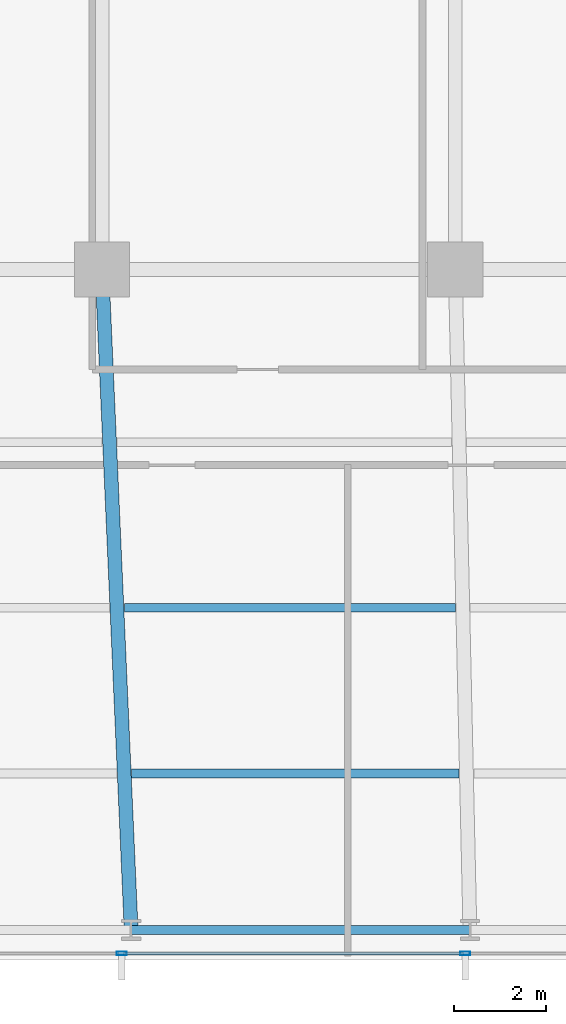
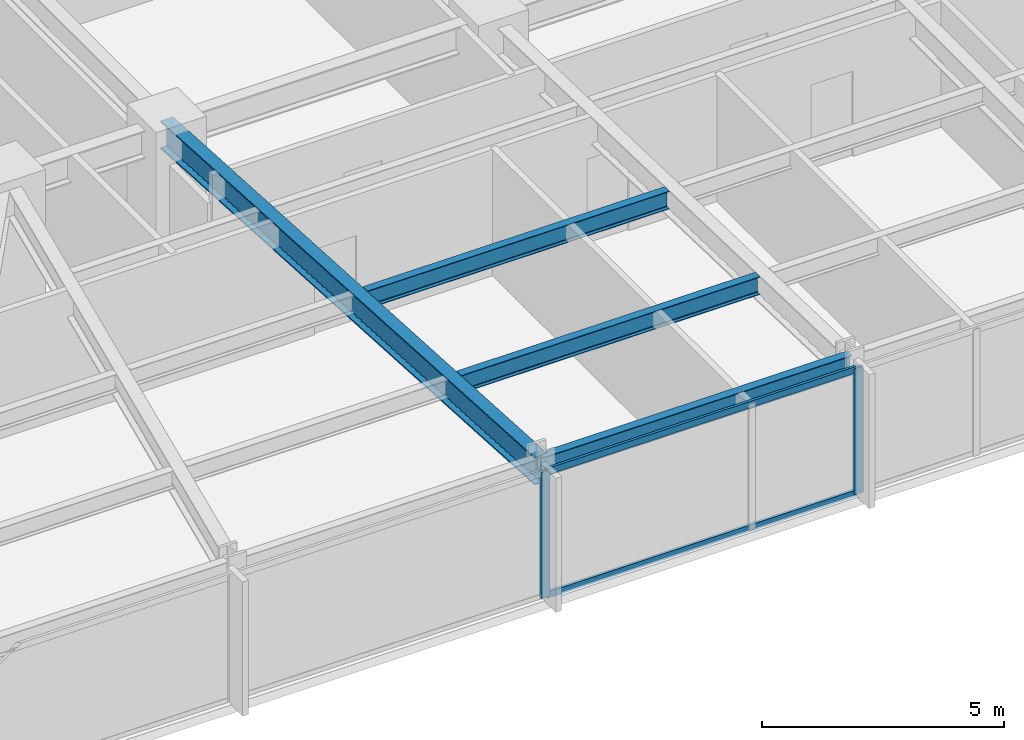
# One storey, part 5 of 33: 4 beams, 4 members, 1 element without a shape of its own.
"""IFC4 building model written with IfcOpenShell, lengths in metres."""

from ifc_helpers import new_model, si_unit, direction, frame, origin, origin_2d, place, context, subcontext, project, spatial, hollow_rectangle, i_section, extrude, material, material_profile, profile_set, type_object, element, aggregate, save


model = new_model("IFC4")

# Units and contexts
model_context = context("Model", 3, precision=1e-05, world=origin(), true_north=direction((0.0, 1.0)))
body_context = subcontext(model_context, "Body", "Model", "MODEL_VIEW")
ifc_project = project(units=[si_unit("LENGTHUNIT", "METRE"), si_unit("AREAUNIT", "SQUARE_METRE"), si_unit("VOLUMEUNIT", "CUBIC_METRE"), si_unit("PLANEANGLEUNIT", "RADIAN"), si_unit("MASSUNIT", "GRAM", prefix="KILO")], contexts=[model_context])

# Site, building, storey
site_placement = place(None, origin())
site = spatial("IfcSite", under=ifc_project, at=site_placement, CompositionType="ELEMENT")
building_placement = place(site_placement, origin())
building = spatial("IfcBuilding", under=site, at=building_placement, Name="Yelkora Congress Tower", CompositionType="ELEMENT")
storey_placement = place(building_placement, frame((0.0, 0.0, 37.199951171875)))
storey = spatial("IfcBuildingStorey", under=building, at=storey_placement, Name="L08", CompositionType="ELEMENT", Elevation=37.199951171875)

# Beams
ifc_material_1 = material(Name="Steel S355J2", Category="steel")
ifc_material_profile_1 = material_profile(ifc_material_1, i_section(OverallWidth=0.300048828125, OverallDepth=0.699951171875, WebThickness=0.01708984375, FlangeThickness=0.031982421875, FilletRadius=0.027099609375, at=origin_2d()), Name="HEB 700")
ifc_profile_set_1 = profile_set([ifc_material_profile_1], Name="Steel S355J2")
beam_type_1 = type_object("IfcBeamType", Name="BM-GIRD-HEB700", PredefinedType="BEAM", material=ifc_profile_set_1)
beam_1_placement = place(storey_placement, frame((23.675048828125, 10.85009765625, 2.830078125), z_axis=(-0.044208738849, 0.999022315771, 0.0), x_axis=(-0.999022315771, -0.044208738849, 0.0)))
element("IfcBeam", 1, at=beam_1_placement, inside=storey, type_object=beam_type_1, Name="L08 Primary Frame Girder S03", PredefinedType="BEAM", context=body_context, shape_type="SweptSolid", body=[
    extrude(i_section(OverallWidth=0.300048828125, OverallDepth=0.699951171875, WebThickness=0.01708984375, FlangeThickness=0.031982421875, FilletRadius=0.027099609375, at=origin_2d()), origin(), (0.0, 0.0, 1.0), 14.364013671875),
])
ifc_material_profile_2 = material_profile(ifc_material_1, i_section(OverallWidth=0.18994140625, OverallDepth=0.449951171875, WebThickness=0.009521484375, FlangeThickness=0.0146484375, FilletRadius=0.02099609375, at=origin_2d()), Name="IPE 450")
ifc_profile_set_2 = profile_set([ifc_material_profile_2], Name="Steel S355J2")
beam_type_2 = type_object("IfcBeamType", Name="BM-JOIST-IPE450", PredefinedType="JOIST", material=ifc_profile_set_2)
beam_2_placement = place(storey_placement, frame((23.6845703125, 14.25, 2.955078125), z_axis=(1.0, 0.0, 0.0), x_axis=(0.0, 1.0, 0.0)))
element("IfcBeam", 2, at=beam_2_placement, inside=storey, type_object=beam_type_2, Name="L08 Composite Floor Joist 3", PredefinedType="JOIST", context=body_context, shape_type="SweptSolid", body=[
    extrude(i_section(OverallWidth=0.18994140625, OverallDepth=0.449951171875, WebThickness=0.009521484375, FlangeThickness=0.0146484375, FilletRadius=0.02099609375, at=origin_2d()), origin(), (0.0, 0.0, 1.0), 7.11767578125),
])
beam_3_placement = place(storey_placement, frame((23.525146484375, 17.85009765625, 2.955078125), z_axis=(1.0, 0.0, 0.0), x_axis=(0.0, 1.0, 0.0)))
element("IfcBeam", 3, at=beam_3_placement, inside=storey, type_object=beam_type_2, Name="L08 Composite Floor Joist 11", PredefinedType="JOIST", context=body_context, shape_type="SweptSolid", body=[
    extrude(i_section(OverallWidth=0.18994140625, OverallDepth=0.449951171875, WebThickness=0.009521484375, FlangeThickness=0.0146484375, FilletRadius=0.02099609375, at=origin_2d()), origin(), (0.0, 0.0, 1.0), 7.197509765625),
])
ifc_material_profile_3 = material_profile(ifc_material_1, i_section(OverallWidth=0.199951171875, OverallDepth=0.5, WebThickness=0.01025390625, FlangeThickness=0.01611328125, FilletRadius=0.02099609375, at=origin_2d()), Name="IPE 500")
ifc_profile_set_3 = profile_set([ifc_material_profile_3], Name="Steel S355J2")
beam_type_3 = type_object("IfcBeamType", Name="BM-SPAN-IPE500", PredefinedType="SPANDREL", material=ifc_profile_set_3)
beam_4_placement = place(storey_placement, frame((23.675048828125, 10.85009765625, 2.929931640625), z_axis=(1.0, 0.0, 0.0), x_axis=(0.0, 1.0, 0.0)))
element("IfcBeam", 4, at=beam_4_placement, inside=storey, type_object=beam_type_3, Name="L08 Perimeter Beam 4", PredefinedType="SPANDREL", context=body_context, shape_type="SweptSolid", body=[
    extrude(i_section(OverallWidth=0.199951171875, OverallDepth=0.5, WebThickness=0.01025390625, FlangeThickness=0.01611328125, FilletRadius=0.02099609375, at=origin_2d()), origin(), (0.0, 0.0, 1.0), 7.362548828125),
])

# Curtain wall, members
ifc_material_2 = material(Name="Anodised aluminium and insulated glass", Category="aluminium")
curtain_wall_type = type_object("IfcCurtainWallType", Name="CW-SYS-B1", PredefinedType="NOTDEFINED", material=ifc_material_2)
curtain_wall_placement = place(storey_placement, origin())
curtain_wall = element("IfcCurtainWall", 5, at=curtain_wall_placement, inside=storey, type_object=curtain_wall_type, Name="L08 Unitised Curtain Wall 20", PredefinedType="NOTDEFINED")
ifc_material_3 = material(Name="Anodised aluminium 6063-T6", Category="aluminium")
ifc_material_profile_4 = material_profile(ifc_material_3, hollow_rectangle(XDim=0.074951171875, YDim=0.219970703125, WallThickness=0.0048828125, at=origin_2d()), Name="ALU 75x220x5")
ifc_profile_set_4 = profile_set([ifc_material_profile_4], Name="Anodised aluminium 6063-T6")
member_type_1 = type_object("IfcMemberType", Name="MEM-ML-B1", PredefinedType="MULLION", material=ifc_profile_set_4)
member_1_placement = place(storey_placement, frame((30.93505859375, 10.340087890625, 0.0), z_axis=(0.0, 0.0, 1.0), x_axis=(0.0, -1.0, 0.0)))
member_1 = element("IfcMember", 6, at=member_1_placement, type_object=member_type_1, Name="CW-B1 mullion 6", PredefinedType="MULLION", context=body_context, shape_type="SweptSolid", body=[
    extrude(hollow_rectangle(XDim=0.074951171875, YDim=0.219970703125, WallThickness=0.0048828125, at=origin_2d()), origin(), (0.0, 0.0, 1.0), 3.179931640625),
])
member_2_placement = place(storey_placement, frame((23.469970703125, 10.340087890625, 0.0), z_axis=(0.0, 0.0, 1.0), x_axis=(0.0, -1.0, 0.0)))
member_2 = element("IfcMember", 7, at=member_2_placement, type_object=member_type_1, Name="CW-B1 mullion 7", PredefinedType="MULLION", context=body_context, shape_type="SweptSolid", body=[
    extrude(hollow_rectangle(XDim=0.074951171875, YDim=0.219970703125, WallThickness=0.0048828125, at=origin_2d()), origin(), (0.0, 0.0, 1.0), 3.179931640625),
])
ifc_material_profile_5 = material_profile(ifc_material_3, hollow_rectangle(XDim=0.06494140625, YDim=0.159912109375, WallThickness=0.00390625, at=origin_2d()), Name="ALU 65x160x4")
ifc_profile_set_5 = profile_set([ifc_material_profile_5], Name="Anodised aluminium 6063-T6")
member_type_2 = type_object("IfcMemberType", Name="MEM-TR-B1", PredefinedType="USERDEFINED", material=ifc_profile_set_5)
member_3_placement = place(storey_placement, frame((30.8974609375, 10.340087890625, 0.032470703125), z_axis=(-1.0, 0.0, 0.0), x_axis=(0.0, -1.0, 0.0)))
member_3 = element("IfcMember", 8, at=member_3_placement, type_object=member_type_2, Name="CW-B1 transom 6.1", ObjectType="TRANSOM", PredefinedType="USERDEFINED", context=body_context, shape_type="SweptSolid", body=[
    extrude(hollow_rectangle(XDim=0.06494140625, YDim=0.159912109375, WallThickness=0.00390625, at=origin_2d()), origin(), (0.0, 0.0, 1.0), 7.389892578125),
])
member_4_placement = place(storey_placement, frame((30.8974609375, 10.340087890625, 3.1474609375), z_axis=(-1.0, 0.0, 0.0), x_axis=(0.0, -1.0, 0.0)))
member_4 = element("IfcMember", 9, at=member_4_placement, type_object=member_type_2, Name="CW-B1 transom 6.2", ObjectType="TRANSOM", PredefinedType="USERDEFINED", context=body_context, shape_type="SweptSolid", body=[
    extrude(hollow_rectangle(XDim=0.06494140625, YDim=0.159912109375, WallThickness=0.00390625, at=origin_2d()), origin(), (0.0, 0.0, 1.0), 7.389892578125),
])
aggregate(curtain_wall, [member_1, member_2, member_3, member_4])

save(model, "model.ifc")
